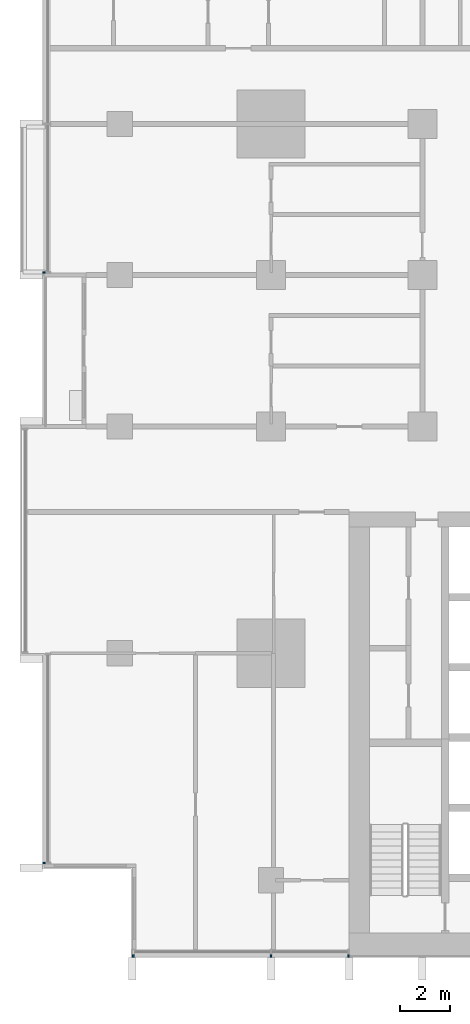
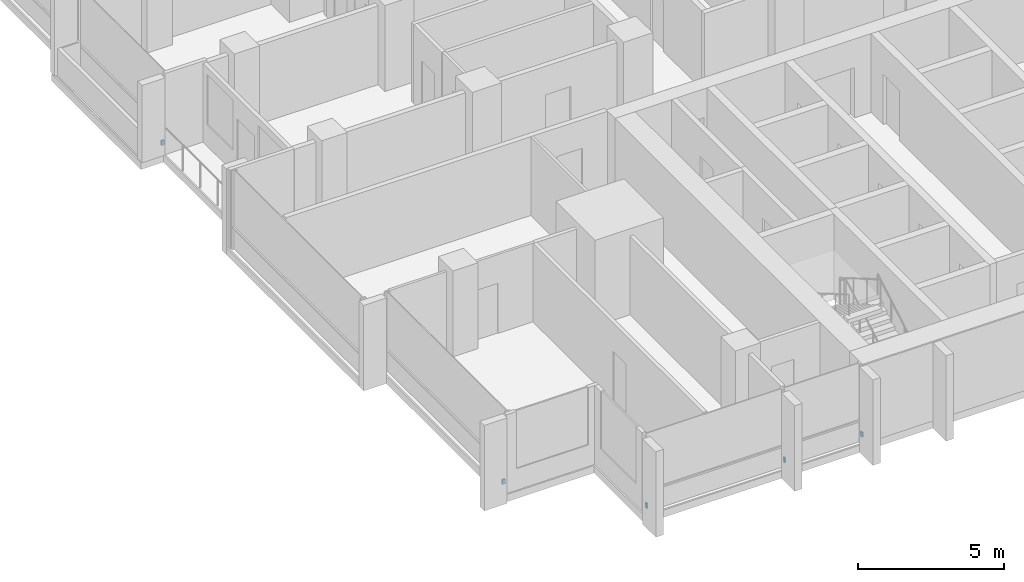
# One storey, part 13 of 17: 5 discrete accessories.
"""IFC4 building model written with IfcOpenShell, lengths in metres."""

from ifc_helpers import new_model, si_unit, direction, frame, origin, origin_2d, place, context, subcontext, project, spatial, rectangle, extrude, material, type_object, element, save


model = new_model("IFC4")

# Units and contexts
model_context = context("Model", 3, precision=1e-05, world=origin(), true_north=direction((0.0, 1.0)))
body_context = subcontext(model_context, "Body", "Model", "MODEL_VIEW")
ifc_project = project(units=[si_unit("LENGTHUNIT", "METRE"), si_unit("AREAUNIT", "SQUARE_METRE"), si_unit("VOLUMEUNIT", "CUBIC_METRE"), si_unit("PLANEANGLEUNIT", "RADIAN"), si_unit("MASSUNIT", "GRAM", prefix="KILO")], contexts=[model_context])

# Site, building, storey
site_placement = place(None, origin())
site = spatial("IfcSite", under=ifc_project, at=site_placement, CompositionType="ELEMENT")
building_placement = place(site_placement, origin())
building = spatial("IfcBuilding", under=site, at=building_placement, Name="Finial Court Residences", CompositionType="ELEMENT")
storey_placement = place(building_placement, frame((0.0, 0.0, 99.10009765625)))
storey = spatial("IfcBuildingStorey", under=building, at=storey_placement, Name="L24", CompositionType="ELEMENT", Elevation=99.10009765625)

# Discrete accessories
ifc_material = material(Name="Stainless steel 316", Category="steel")
discrete_accessory_type = type_object("IfcDiscreteAccessoryType", Name="Fin bracket, stainless steel 65 x 110 x 200", PredefinedType="BRACKET", material=ifc_material)
for number, where, z_axis, x_axis, name in (
    (1, (-21.967529296875, -25.5048828125, 0.2998046875), (0.0, 0.0, 1.0), (1.0, 0.0, 0.0), "E-L24-FIN-S16-BRK"),
    (2, (-16.5, -25.5048828125, 0.2998046875), (0.0, 0.0, 1.0), (1.0, 0.0, 0.0), "E-L24-FIN-S17-BRK"),
    (3, (-13.4326171875, -25.5048828125, 0.2998046875), (0.0, 0.0, 1.0), (1.0, 0.0, 0.0), "E-L24-FIN-S18-BRK"),
):
    element("IfcDiscreteAccessory", number, at=place(storey_placement, frame(where, z_axis=z_axis, x_axis=x_axis)), inside=storey, type_object=discrete_accessory_type, Name=name, PredefinedType="BRACKET", context=body_context, shape_type="SweptSolid", body=[
        extrude(rectangle(XDim=0.06494140625, YDim=0.110107421875, at=origin_2d()), origin(), (0.0, 0.0, 1.0), 0.199951171875),
    ])
for number, where, z_axis, x_axis, name in (
    (4, (-25.5048828125, -21.8173828125, 0.2998046875), (0.0, 0.0, 1.0), (1.0, 0.0, 0.0), "E-L24-FIN-W26-BRK"),
    (5, (-25.5048828125, 1.607421875, 0.2998046875), (0.0, 0.0, 1.0), (1.0, 0.0, 0.0), "E-L24-FIN-W29-BRK"),
):
    element("IfcDiscreteAccessory", number, at=place(storey_placement, frame(where, z_axis=z_axis, x_axis=x_axis)), inside=storey, type_object=discrete_accessory_type, Name=name, PredefinedType="BRACKET", context=body_context, shape_type="SweptSolid", body=[
        extrude(rectangle(XDim=0.110107421875, YDim=0.06494140625, at=origin_2d()), origin(), (0.0, 0.0, 1.0), 0.199951171875),
    ])

save(model, "model.ifc")
